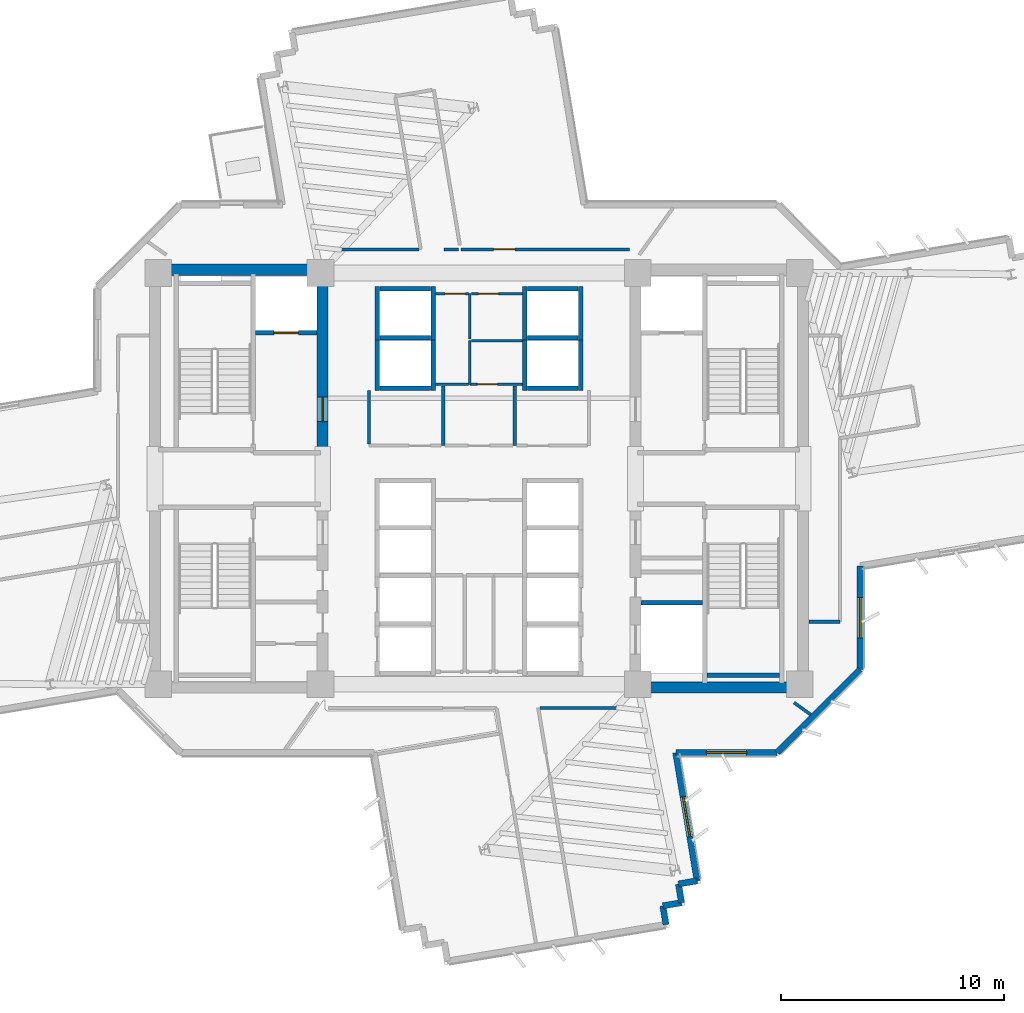
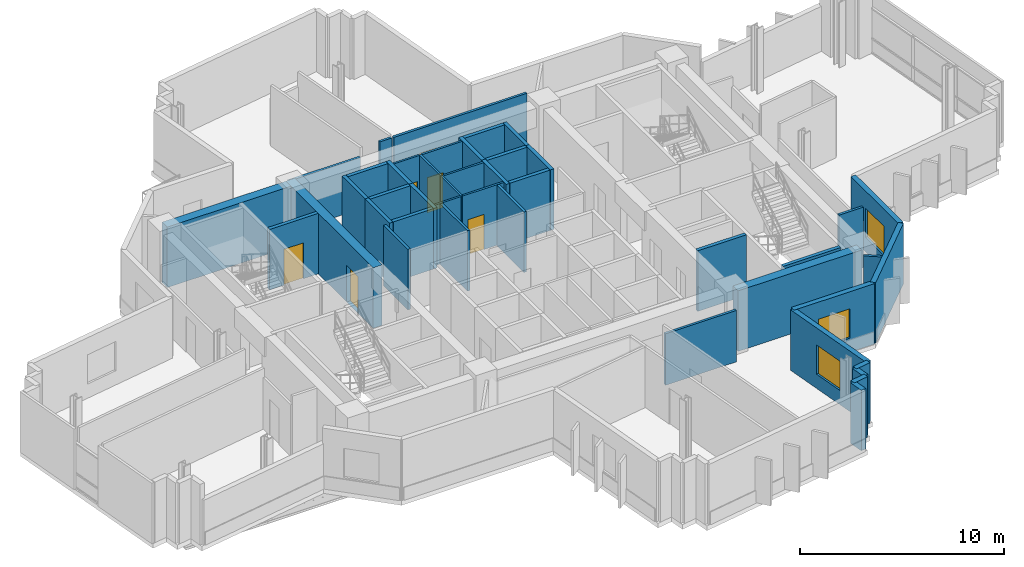
# One storey, part 9 of 15: 44 walls, 6 doors, 3 windows, 9 openings.
"""IFC4 building model written with IfcOpenShell, lengths in metres."""

from ifc_helpers import new_model, si_unit, direction, frame, frame_2d, origin, place, context, subcontext, project, spatial, rectangle, extrude, source, transform, mapped, material, layer, layer_set, type_object, element, fill, save


model = new_model("IFC4")

# Units and contexts
model_context = context("Model", 3, precision=1e-05, world=origin(), true_north=direction((0.0, 1.0)))
body_context = subcontext(model_context, "Body", "Model", "MODEL_VIEW")
ifc_project = project(units=[si_unit("LENGTHUNIT", "METRE"), si_unit("AREAUNIT", "SQUARE_METRE"), si_unit("VOLUMEUNIT", "CUBIC_METRE"), si_unit("PLANEANGLEUNIT", "RADIAN"), si_unit("MASSUNIT", "GRAM", prefix="KILO")], contexts=[model_context])

# Site, building, storey
site_placement = place(None, origin())
site = spatial("IfcSite", under=ifc_project, at=site_placement, CompositionType="ELEMENT")
building_placement = place(site_placement, origin())
building = spatial("IfcBuilding", under=site, at=building_placement, Name="Zahravan Cultural Tower", CompositionType="ELEMENT")
storey_placement = place(building_placement, frame((0.0, 0.0, 135.60009765625)))
storey = spatial("IfcBuildingStorey", under=building, at=storey_placement, Name="L30", CompositionType="ELEMENT", Elevation=135.60009765625)

# Wall, opening, door
ifc_material_1 = material(Name="Concrete C60/75", Category="concrete")
ifc_layer_1 = layer(ifc_material_1, 0.5)
ifc_layer_set_1 = layer_set([ifc_layer_1], Name="Concrete C60/75")
wall_type_1 = type_object("IfcWallType", Name="CW-SHEAR-500-C60", PredefinedType="SHEAR", material=ifc_layer_set_1)
wall_1_placement = place(storey_placement, frame((29.0, 28.050048828125, 0.0), z_axis=(0.0, 0.0, 1.0), x_axis=(0.0, 1.0, 0.0)))
wall_1 = element("IfcWall", 1, at=wall_1_placement, inside=storey, type_object=wall_type_1, Name="L30 Core Shear Wall CW-W-EN-L30", PredefinedType="SHEAR", context=body_context, shape_type="SweptSolid", body=[
    extrude(rectangle(XDim=8.550048828125, YDim=0.5, at=frame_2d((4.27490234375, 0.0))), origin(), (0.0, 0.0, 1.0), 3.619873046875),
])
opening_1_placement = place(wall_1_placement, frame((1.5, 0.0, 0.0)))
opening_1 = element("IfcOpeningElement", 2, at=opening_1_placement, cuts=wall_1, Name="Opening D-L30-05", PredefinedType="OPENING", context=body_context, shape_type="SweptSolid", body=[
    extrude(rectangle(XDim=1.10009765625, YDim=2.199951171875, at=frame_2d((0.550048828125, 1.10009765625))), frame((0.0, 0.260009765625, 0.0), z_axis=(0.0, -1.0, 0.0), x_axis=(1.0, 0.0, 0.0)), (0.0, 0.0, 1.0), 0.52001953125),
])
ifc_material_2 = material(Name="Steel ASTM A572 Grade 50", Category="steel")
door_type_1 = type_object("IfcDoorType", Name="DR-LOBBY-1100", OperationType="NOTDEFINED", PredefinedType="DOOR", material=ifc_material_2)
shared_shape_1 = source(origin(), body_context, "Body", "SweptSolid", [
    extrude(rectangle(XDim=1.10009765625, YDim=2.199951171875, at=frame_2d((0.550048828125, 1.10009765625))), frame((0.0, 0.02490234375, 0.0), z_axis=(0.0, -1.0, 0.0), x_axis=(1.0, 0.0, 0.0)), (0.0, 0.0, 1.0), 0.050048828125),
])
door_1_placement = place(opening_1_placement, origin())
door_1 = element("IfcDoor", 3, at=door_1_placement, inside=storey, type_object=door_type_1, Name="L30 Door D-L30-05", OperationType="SINGLE_SWING_RIGHT", OverallHeight=2.199951171875, OverallWidth=1.10009765625, PredefinedType="DOOR", context=body_context, shape_type="MappedRepresentation", body=[
    mapped(shared_shape_1, transform((0.0, 0.0, 0.0), x_axis=(1.0, 0.0, 0.0), y_axis=(0.0, 1.0, 0.0), z_axis=(0.0, 0.0, 1.0), scale=1.0)),
])
fill(opening_1, door_1)

# Wall, opening, window
ifc_material_3 = material(Name="Precast concrete C40/50", Category="concrete")
ifc_layer_2 = layer(ifc_material_3, 0.280029296875)
ifc_layer_set_2 = layer_set([ifc_layer_2], Name="Precast concrete C40/50")
wall_type_2 = type_object("IfcWallType", Name="EW-TC-280", PredefinedType="SOLIDWALL", material=ifc_layer_set_2)
wall_2_placement = place(storey_placement, frame((53.06005859375, 23.102294921875, 0.0), z_axis=(0.0, 0.0, 1.0), x_axis=(0.0, -1.0, 0.0)))
wall_2 = element("IfcWall", 4, at=wall_2_placement, inside=storey, type_object=wall_type_2, Name="L30 Exterior Masonry Frame Wall 11", PredefinedType="SOLIDWALL", context=body_context, shape_type="SweptSolid", body=[
    extrude(rectangle(XDim=4.644287109375, YDim=0.280029296875, at=frame_2d((2.322265625, 0.0))), origin(), (0.0, 0.0, 1.0), 3.619873046875),
])
opening_2_placement = place(wall_2_placement, frame((1.422119140625, 0.0, 0.85009765625)))
opening_2 = element("IfcOpeningElement", 5, at=opening_2_placement, cuts=wall_2, Name="Opening WN-02", PredefinedType="OPENING", context=body_context, shape_type="SweptSolid", body=[
    extrude(rectangle(XDim=1.800048828125, YDim=1.75, at=frame_2d((0.89990234375, 0.875))), frame((0.0, 0.14990234375, 0.0), z_axis=(0.0, -1.0, 0.0), x_axis=(1.0, 0.0, 0.0)), (0.0, 0.0, 1.0), 0.300048828125),
])
ifc_material_4 = material(Name="Low-E solar-control double glazing", Category="glass")
window_type = type_object("IfcWindowType", Name="WN-REC-1800X1750", PartitioningType="DOUBLE_PANEL_VERTICAL", PredefinedType="WINDOW", material=ifc_material_4)
shared_shape_2 = source(origin(), body_context, "Body", "SweptSolid", [
    extrude(rectangle(XDim=1.800048828125, YDim=1.75, at=frame_2d((0.89990234375, 0.875))), frame((0.0, 0.030029296875, 0.0), z_axis=(0.0, -1.0, 0.0), x_axis=(1.0, 0.0, 0.0)), (0.0, 0.0, 1.0), 0.06005859375),
])
window_1_placement = place(opening_2_placement, origin())
window_1 = element("IfcWindow", 6, at=window_1_placement, inside=storey, type_object=window_type, Name="L30 Recessed Solar Window 02", OverallHeight=1.75, OverallWidth=1.800048828125, PartitioningType="DOUBLE_PANEL_VERTICAL", PredefinedType="WINDOW", context=body_context, shape_type="MappedRepresentation", body=[
    mapped(shared_shape_2, transform((0.0, 0.0, 0.0), x_axis=(1.0, 0.0, 0.0), y_axis=(0.0, 1.0, 0.0), z_axis=(0.0, 0.0, 1.0), scale=1.0)),
])
fill(opening_2, window_1)

wall_3_placement = place(storey_placement, frame((49.342041015625, 14.739990234375, 0.0), z_axis=(0.0, 0.0, 1.0), x_axis=(-1.0, 0.0, 0.0)))
wall_3 = element("IfcWall", 7, at=wall_3_placement, inside=storey, type_object=wall_type_2, Name="L30 Exterior Masonry Frame Wall 13", PredefinedType="SOLIDWALL", context=body_context, shape_type="SweptSolid", body=[
    extrude(rectangle(XDim=4.537841796875, YDim=0.280029296875, at=frame_2d((2.26904296875, 0.0))), origin(), (0.0, 0.0, 1.0), 3.619873046875),
])
opening_3_placement = place(wall_3_placement, frame((1.368896484375, 0.0, 0.85009765625)))
opening_3 = element("IfcOpeningElement", 8, at=opening_3_placement, cuts=wall_3, Name="Opening WN-02", PredefinedType="OPENING", context=body_context, shape_type="SweptSolid", body=[
    extrude(rectangle(XDim=1.800048828125, YDim=1.75, at=frame_2d((0.89990234375, 0.875))), frame((0.0, 0.14990234375, 0.0), z_axis=(0.0, -1.0, 0.0), x_axis=(1.0, 0.0, 0.0)), (0.0, 0.0, 1.0), 0.300048828125),
])
window_2_placement = place(opening_3_placement, origin())
window_2 = element("IfcWindow", 9, at=window_2_placement, inside=storey, type_object=window_type, Name="L30 Recessed Solar Window 03", OverallHeight=1.75, OverallWidth=1.800048828125, PartitioningType="DOUBLE_PANEL_VERTICAL", PredefinedType="WINDOW", context=body_context, shape_type="MappedRepresentation", body=[
    mapped(shared_shape_2, transform((0.0, 0.0, 0.0), x_axis=(1.0, 0.0, 0.0), y_axis=(0.0, 1.0, 0.0), z_axis=(0.0, 0.0, 1.0), scale=1.0)),
])
fill(opening_3, window_2)

wall_4_placement = place(storey_placement, frame((44.80419921875, 14.739990234375, 0.0), z_axis=(0.0, 0.0, 1.0), x_axis=(0.165045758581, -0.986285910664, 0.0)))
wall_4 = element("IfcWall", 10, at=wall_4_placement, inside=storey, type_object=wall_type_2, Name="L30 Exterior Masonry Frame Wall 14", PredefinedType="SOLIDWALL", context=body_context, shape_type="SweptSolid", body=[
    extrude(rectangle(XDim=5.81494140625, YDim=0.280029296875, at=frame_2d((2.907470703125, 0.0))), origin(), (0.0, 0.0, 1.0), 3.619873046875),
])
opening_4_placement = place(wall_4_placement, frame((2.007080078125, 0.0, 0.85009765625)))
opening_4 = element("IfcOpeningElement", 11, at=opening_4_placement, cuts=wall_4, Name="Opening WN-02", PredefinedType="OPENING", context=body_context, shape_type="SweptSolid", body=[
    extrude(rectangle(XDim=1.800048828125, YDim=1.75, at=frame_2d((0.89990234375, 0.875))), frame((0.0, 0.14990234375, 0.0), z_axis=(0.0, -1.0, 0.0), x_axis=(1.0, 0.0, 0.0)), (0.0, 0.0, 1.0), 0.300048828125),
])
window_3_placement = place(opening_4_placement, origin())
window_3 = element("IfcWindow", 12, at=window_3_placement, inside=storey, type_object=window_type, Name="L30 Recessed Solar Window 04", OverallHeight=1.75, OverallWidth=1.800048828125, PartitioningType="DOUBLE_PANEL_VERTICAL", PredefinedType="WINDOW", context=body_context, shape_type="MappedRepresentation", body=[
    mapped(shared_shape_2, transform((0.0, 0.0, 0.0), x_axis=(1.0, 0.0, 0.0), y_axis=(0.0, 1.0, 0.0), z_axis=(0.0, 0.0, 1.0), scale=1.0)),
])
fill(opening_4, window_3)

# Wall, opening, door
ifc_material_5 = material(Name="Gypsum plasterboard partition")
ifc_layer_3 = layer(ifc_material_5, 0.139892578125)
ifc_layer_set_3 = layer_set([ifc_layer_3], Name="Gypsum plasterboard partition")
wall_type_3 = type_object("IfcWallType", Name="W-PART-140", PredefinedType="PARTITIONING", material=ifc_layer_set_3)
wall_5_placement = place(storey_placement, frame((42.742431640625, 37.259765625, 0.0), z_axis=(0.0, 0.0, 1.0), x_axis=(-0.999999999476, 3.2371888e-05, 0.0)))
wall_5 = element("IfcWall", 13, at=wall_5_placement, inside=storey, type_object=wall_type_3, Name="L30 Interior Wall 109", PredefinedType="PARTITIONING", context=body_context, shape_type="SweptSolid", body=[
    extrude(rectangle(XDim=7.541748046875, YDim=0.139892578125, at=frame_2d((3.77099609375, 0.0))), origin(), (0.0, 0.0, 1.0), 3.619873046875),
])
opening_5_placement = place(wall_5_placement, frame((5.1416015625, 0.0, 0.0)))
opening_5 = element("IfcOpeningElement", 14, at=opening_5_placement, cuts=wall_5, Name="Opening D-L30-23", PredefinedType="OPENING", context=body_context, shape_type="SweptSolid", body=[
    extrude(rectangle(XDim=0.949951171875, YDim=2.14990234375, at=frame_2d((0.47509765625, 1.074951171875))), frame((0.0, 0.079833984375, 0.0), z_axis=(0.0, -1.0, 0.0), x_axis=(1.0, 0.0, 0.0)), (0.0, 0.0, 1.0), 0.159912109375),
])
ifc_material_6 = material(Name="Anodised bronze-aluminium mullion", Category="aluminium")
door_type_2 = type_object("IfcDoorType", Name="DR-ROOM-950", OperationType="NOTDEFINED", PredefinedType="DOOR", material=ifc_material_6)
shared_shape_3 = source(origin(), body_context, "Body", "SweptSolid", [
    extrude(rectangle(XDim=0.949951171875, YDim=2.14990234375, at=frame_2d((0.47509765625, 1.074951171875))), frame((0.0, 0.02490234375, 0.0), z_axis=(0.0, -1.0, 0.0), x_axis=(1.0, 0.0, 0.0)), (0.0, 0.0, 1.0), 0.050048828125),
])
door_2_placement = place(opening_5_placement, origin())
door_2 = element("IfcDoor", 15, at=door_2_placement, inside=storey, type_object=door_type_2, Name="L30 Door D-L30-23", OperationType="SINGLE_SWING_RIGHT", OverallHeight=2.14990234375, OverallWidth=0.949951171875, PredefinedType="DOOR", context=body_context, shape_type="MappedRepresentation", body=[
    mapped(shared_shape_3, transform((0.0, 0.0, 0.0), x_axis=(1.0, 0.0, 0.0), y_axis=(0.0, 1.0, 0.0), z_axis=(0.0, 0.0, 1.0), scale=1.0)),
])
fill(opening_5, door_2)

ifc_material_7 = material(Name="Concrete C45/55", Category="concrete")
ifc_layer_4 = layer(ifc_material_7, 0.199951171875)
ifc_layer_set_4 = layer_set([ifc_layer_4], Name="Concrete C45/55")
wall_type_4 = type_object("IfcWallType", Name="W-SHAFT-200", PredefinedType="SOLIDWALL", material=ifc_layer_set_4)
wall_6_placement = place(storey_placement, frame((26.0, 33.52001953125, 0.0), z_axis=(0.0, 0.0, 1.0), x_axis=(1.0, 0.0, 0.0)))
wall_6 = element("IfcWall", 16, at=wall_6_placement, inside=storey, type_object=wall_type_4, Name="L30 Interior Wall 021", PredefinedType="SOLIDWALL", context=body_context, shape_type="SweptSolid", body=[
    extrude(rectangle(XDim=2.75, YDim=0.199951171875, at=frame_2d((1.375, 0.0))), origin(), (0.0, 0.0, 1.0), 3.619873046875),
])
opening_6_placement = place(wall_6_placement, frame((0.820068359375, 0.0, 0.0)))
opening_6 = element("IfcOpeningElement", 17, at=opening_6_placement, cuts=wall_6, Name="Opening LD-L30-01", PredefinedType="OPENING", context=body_context, shape_type="SweptSolid", body=[
    extrude(rectangle(XDim=1.10009765625, YDim=2.14990234375, at=frame_2d((0.550048828125, 1.074951171875))), frame((0.0, 0.10986328125, 0.0), z_axis=(0.0, -1.0, 0.0), x_axis=(1.0, 0.0, 0.0)), (0.0, 0.0, 1.0), 0.219970703125),
])
door_type_3 = type_object("IfcDoorType", Name="DR-LIFT-1100", OperationType="DOUBLE_DOOR_SLIDING", PredefinedType="DOOR", material=ifc_material_2)
shared_shape_4 = source(origin(), body_context, "Body", "SweptSolid", [
    extrude(rectangle(XDim=1.10009765625, YDim=2.14990234375, at=frame_2d((0.550048828125, 1.074951171875))), frame((0.0, 0.02490234375, 0.0), z_axis=(0.0, -1.0, 0.0), x_axis=(1.0, 0.0, 0.0)), (0.0, 0.0, 1.0), 0.050048828125),
])
door_3_placement = place(opening_6_placement, origin())
door_3 = element("IfcDoor", 18, at=door_3_placement, inside=storey, type_object=door_type_3, Name="L30 Door LD-L30-01", OperationType="DOUBLE_DOOR_SLIDING", OverallHeight=2.14990234375, OverallWidth=1.10009765625, PredefinedType="DOOR", context=body_context, shape_type="MappedRepresentation", body=[
    mapped(shared_shape_4, transform((0.0, 0.0, 0.0), x_axis=(1.0, 0.0, 0.0), y_axis=(0.0, 1.0, 0.0), z_axis=(0.0, 0.0, 1.0), scale=1.0)),
])
fill(opening_6, door_3)

ifc_layer_5 = layer(ifc_material_5, 0.114990234375)
ifc_layer_set_5 = layer_set([ifc_layer_5], Name="Gypsum plasterboard partition")
wall_type_5 = type_object("IfcWallType", Name="W-WC-115", PredefinedType="PARTITIONING", material=ifc_layer_set_5)
wall_7_placement = place(storey_placement, frame((37.945068359375, 31.219970703125, 0.0), z_axis=(0.0, 0.0, 1.0), x_axis=(-1.0, 0.0, 0.0)))
wall_7 = element("IfcWall", 19, at=wall_7_placement, inside=storey, type_object=wall_type_5, Name="L30 Interior Wall 069", PredefinedType="PARTITIONING", context=body_context, shape_type="SweptSolid", body=[
    extrude(rectangle(XDim=2.35498046875, YDim=0.114990234375, at=frame_2d((1.177490234375, 0.0))), origin(), (0.0, 0.0, 1.0), 3.619873046875),
])
opening_7_placement = place(wall_7_placement, frame((1.120849609375, 0.0, 0.0)))
opening_7 = element("IfcOpeningElement", 20, at=opening_7_placement, cuts=wall_7, Name="Opening D-L30-29", PredefinedType="OPENING", context=body_context, shape_type="SweptSolid", body=[
    extrude(rectangle(XDim=0.89990234375, YDim=2.10009765625, at=frame_2d((0.449951171875, 1.050048828125))), frame((0.0, 0.0673828125, 0.0), z_axis=(0.0, -1.0, 0.0), x_axis=(1.0, 0.0, 0.0)), (0.0, 0.0, 1.0), 0.135009765625),
])
door_type_4 = type_object("IfcDoorType", Name="DR-WC-900", OperationType="NOTDEFINED", PredefinedType="DOOR", material=ifc_material_6)
shared_shape_5 = source(origin(), body_context, "Body", "SweptSolid", [
    extrude(rectangle(XDim=0.89990234375, YDim=2.10009765625, at=frame_2d((0.449951171875, 1.050048828125))), frame((0.0, 0.02490234375, 0.0), z_axis=(0.0, -1.0, 0.0), x_axis=(1.0, 0.0, 0.0)), (0.0, 0.0, 1.0), 0.050048828125),
])
door_4_placement = place(opening_7_placement, origin())
door_4 = element("IfcDoor", 21, at=door_4_placement, inside=storey, type_object=door_type_4, Name="L30 Door D-L30-29", OperationType="SINGLE_SWING_RIGHT", OverallHeight=2.10009765625, OverallWidth=0.89990234375, PredefinedType="DOOR", context=body_context, shape_type="MappedRepresentation", body=[
    mapped(shared_shape_5, transform((0.0, 0.0, 0.0), x_axis=(1.0, 0.0, 0.0), y_axis=(0.0, 1.0, 0.0), z_axis=(0.0, 0.0, 1.0), scale=1.0)),
])
fill(opening_7, door_4)

wall_8_placement = place(storey_placement, frame((35.652587890625, 35.280029296875, 0.0), z_axis=(0.0, 0.0, 1.0), x_axis=(1.0, 0.0, 0.0)))
wall_8 = element("IfcWall", 22, at=wall_8_placement, inside=storey, type_object=wall_type_5, Name="L30 Interior Wall 073", PredefinedType="PARTITIONING", context=body_context, shape_type="SweptSolid", body=[
    extrude(rectangle(XDim=2.29248046875, YDim=0.114990234375, at=frame_2d((1.146240234375, 0.0))), origin(), (0.0, 0.0, 1.0), 3.619873046875),
])
opening_8_placement = place(wall_8_placement, frame((0.3203125, 0.0, 0.0)))
opening_8 = element("IfcOpeningElement", 23, at=opening_8_placement, cuts=wall_8, Name="Opening D-L30-14", PredefinedType="OPENING", context=body_context, shape_type="SweptSolid", body=[
    extrude(rectangle(XDim=0.89990234375, YDim=2.10009765625, at=frame_2d((0.449951171875, 1.050048828125))), frame((0.0, 0.0673828125, 0.0), z_axis=(0.0, -1.0, 0.0), x_axis=(1.0, 0.0, 0.0)), (0.0, 0.0, 1.0), 0.135009765625),
])
door_5_placement = place(opening_8_placement, origin())
door_5 = element("IfcDoor", 24, at=door_5_placement, inside=storey, type_object=door_type_4, Name="L30 Door D-L30-14", OperationType="SINGLE_SWING_LEFT", OverallHeight=2.10009765625, OverallWidth=0.89990234375, PredefinedType="DOOR", context=body_context, shape_type="MappedRepresentation", body=[
    mapped(shared_shape_5, transform((0.0, 0.0, 0.0), x_axis=(1.0, 0.0, 0.0), y_axis=(0.0, 1.0, 0.0), z_axis=(0.0, 0.0, 1.0), scale=1.0)),
])
fill(opening_8, door_5)

wall_9_placement = place(storey_placement, frame((34.054931640625, 35.280029296875, 0.0), z_axis=(0.0, 0.0, 1.0), x_axis=(1.0, 0.0, 0.0)))
wall_9 = element("IfcWall", 25, at=wall_9_placement, inside=storey, type_object=wall_type_5, Name="L30 Interior Wall 083", PredefinedType="PARTITIONING", context=body_context, shape_type="SweptSolid", body=[
    extrude(rectangle(XDim=1.47265625, YDim=0.114990234375, at=frame_2d((0.736328125, 0.0))), origin(), (0.0, 0.0, 1.0), 3.619873046875),
])
opening_9_placement = place(wall_9_placement, frame((0.4326171875, 0.0, 0.0)))
opening_9 = element("IfcOpeningElement", 26, at=opening_9_placement, cuts=wall_9, Name="Opening D-L30-13", PredefinedType="OPENING", context=body_context, shape_type="SweptSolid", body=[
    extrude(rectangle(XDim=0.89990234375, YDim=2.10009765625, at=frame_2d((0.449951171875, 1.050048828125))), frame((0.0, 0.0673828125, 0.0), z_axis=(0.0, -1.0, 0.0), x_axis=(1.0, 0.0, 0.0)), (0.0, 0.0, 1.0), 0.135009765625),
])
door_6_placement = place(opening_9_placement, origin())
door_6 = element("IfcDoor", 27, at=door_6_placement, inside=storey, type_object=door_type_4, Name="L30 Door D-L30-13", OperationType="SINGLE_SWING_RIGHT", OverallHeight=2.10009765625, OverallWidth=0.89990234375, PredefinedType="DOOR", context=body_context, shape_type="MappedRepresentation", body=[
    mapped(shared_shape_5, transform((0.0, 0.0, 0.0), x_axis=(1.0, 0.0, 0.0), y_axis=(0.0, 1.0, 0.0), z_axis=(0.0, 0.0, 1.0), scale=1.0)),
])
fill(opening_9, door_6)

# Walls
shared_shape_6 = source(origin(), body_context, "Body", "SweptSolid", [
    extrude(rectangle(XDim=7.0, YDim=0.5, at=frame_2d((3.5, 0.0))), origin(), (0.0, 0.0, 1.0), 3.619873046875),
])
for number, where, z_axis, x_axis, name in (
    (28, (21.75, 36.35009765625, 0.0), (0.0, 0.0, 1.0), (1.0, 0.0, 0.0), "L30 Core Shear Wall CW-W-N-L30"),
    (29, (43.25, 17.64990234375, 0.0), (0.0, 0.0, 1.0), (1.0, 0.0, 0.0), "L30 Core Shear Wall CW-E-S-L30"),
):
    element("IfcWall", number, at=place(storey_placement, frame(where, z_axis=z_axis, x_axis=x_axis)), inside=storey, type_object=wall_type_1, Name=name, PredefinedType="SHEAR", context=body_context, shape_type="MappedRepresentation", body=[
        mapped(shared_shape_6, transform((0.0, 0.0, 0.0), x_axis=(1.0, 0.0, 0.0), y_axis=(0.0, 1.0, 0.0), z_axis=(0.0, 0.0, 1.0), scale=1.0)),
    ])
shared_shape_7 = source(origin(), body_context, "Body", "SweptSolid", [
    extrude(rectangle(XDim=0.85009765625, YDim=0.280029296875, at=frame_2d((0.425048828125, 0.0))), origin(), (0.0, 0.0, 1.0), 3.619873046875),
])
for number, where, z_axis, x_axis, name in (
    (30, (45.763916015625, 9.0048828125, 0.0), (0.0, 0.0, 1.0), (-0.986269444653, -0.16514412658, 0.0), "L30 Exterior Masonry Frame Wall 15"),
    (31, (44.925537109375, 8.864501953125, 0.0), (0.0, 0.0, 1.0), (0.16514412658, -0.986269444653, 0.0), "L30 Exterior Masonry Frame Wall 16"),
    (32, (45.06591796875, 8.026123046875, 0.0), (0.0, 0.0, 1.0), (-0.986269444653, -0.16514412658, 0.0), "L30 Exterior Masonry Frame Wall 17"),
):
    element("IfcWall", number, at=place(storey_placement, frame(where, z_axis=z_axis, x_axis=x_axis)), inside=storey, type_object=wall_type_2, Name=name, PredefinedType="SOLIDWALL", context=body_context, shape_type="MappedRepresentation", body=[
        mapped(shared_shape_7, transform((0.0, 0.0, 0.0), x_axis=(1.0, 0.0, 0.0), y_axis=(0.0, 1.0, 0.0), z_axis=(0.0, 0.0, 1.0), scale=1.0)),
    ])
shared_shape_8 = source(origin(), body_context, "Body", "SweptSolid", [
    extrude(rectangle(XDim=5.258056640625, YDim=0.280029296875, at=frame_2d((2.62890625, 0.0))), origin(), (0.0, 0.0, 1.0), 3.619873046875),
])
wall_10_placement = place(storey_placement, frame((53.06005859375, 18.4580078125, 0.0), z_axis=(0.0, 0.0, 1.0), x_axis=(-0.707106781187, -0.707106781187, 0.0)))
element("IfcWall", 33, at=wall_10_placement, inside=storey, type_object=wall_type_2, Name="L30 Exterior Masonry Frame Wall 12", PredefinedType="SOLIDWALL", context=body_context, shape_type="MappedRepresentation", body=[
    mapped(shared_shape_8, transform((0.0, 0.0, 0.0), x_axis=(1.0, 0.0, 0.0), y_axis=(0.0, 1.0, 0.0), z_axis=(0.0, 0.0, 1.0), scale=1.0)),
])
shared_shape_9 = source(origin(), body_context, "Body", "SweptSolid", [
    extrude(rectangle(XDim=0.849853515625, YDim=0.280029296875, at=frame_2d((0.4248046875, 0.0))), origin(), (0.0, 0.0, 1.0), 3.619873046875),
])
wall_11_placement = place(storey_placement, frame((44.2275390625, 7.8857421875, 0.0), z_axis=(0.0, 0.0, 1.0), x_axis=(0.165190918979, -0.986261608442, 0.0)))
element("IfcWall", 34, at=wall_11_placement, inside=storey, type_object=wall_type_2, Name="L30 Exterior Masonry Frame Wall 18", PredefinedType="SOLIDWALL", context=body_context, shape_type="MappedRepresentation", body=[
    mapped(shared_shape_9, transform((0.0, 0.0, 0.0), x_axis=(1.0, 0.0, 0.0), y_axis=(0.0, 1.0, 0.0), z_axis=(0.0, 0.0, 1.0), scale=1.0)),
])
shared_shape_10 = source(origin(), body_context, "Body", "SweptSolid", [
    extrude(rectangle(XDim=3.25, YDim=0.199951171875, at=frame_2d((1.625, 0.0))), origin(), (0.0, 0.0, 1.0), 3.619873046875),
])
wall_12_placement = place(storey_placement, frame((46.199951171875, 18.199951171875, 0.0), z_axis=(0.0, 0.0, 1.0), x_axis=(1.0, 0.0, 0.0)))
element("IfcWall", 35, at=wall_12_placement, inside=storey, type_object=wall_type_4, Name="L30 Interior Wall 020", PredefinedType="SOLIDWALL", context=body_context, shape_type="MappedRepresentation", body=[
    mapped(shared_shape_10, transform((0.0, 0.0, 0.0), x_axis=(1.0, 0.0, 0.0), y_axis=(0.0, 1.0, 0.0), z_axis=(0.0, 0.0, 1.0), scale=1.0)),
])
shared_shape_11 = source(origin(), body_context, "Body", "SweptSolid", [
    extrude(rectangle(XDim=2.75, YDim=0.199951171875, at=frame_2d((1.375, 0.0))), origin(), (0.0, 0.0, 1.0), 3.619873046875),
])
wall_13_placement = place(storey_placement, frame((43.25, 21.449951171875, 0.0), z_axis=(0.0, 0.0, 1.0), x_axis=(1.0, 0.0, 0.0)))
element("IfcWall", 36, at=wall_13_placement, inside=storey, type_object=wall_type_4, Name="L30 Interior Wall 025", PredefinedType="SOLIDWALL", context=body_context, shape_type="MappedRepresentation", body=[
    mapped(shared_shape_11, transform((0.0, 0.0, 0.0), x_axis=(1.0, 0.0, 0.0), y_axis=(0.0, 1.0, 0.0), z_axis=(0.0, 0.0, 1.0), scale=1.0)),
])
shared_shape_12 = source(origin(), body_context, "Body", "SweptSolid", [
    extrude(rectangle(XDim=2.400146484375, YDim=0.199951171875, at=frame_2d((1.2001953125, 0.0))), origin(), (0.0, 0.0, 1.0), 3.619873046875),
])
for number, where, z_axis, x_axis, name in (
    (37, (31.449951171875, 33.199951171875, 0.0), (0.0, 0.0, 1.0), (0.0, 1.0, 0.0), "L30 Interior Wall 029"),
    (38, (33.949951171875, 33.199951171875, 0.0), (0.0, 0.0, 1.0), (0.0, 1.0, 0.0), "L30 Interior Wall 030"),
    (39, (31.449951171875, 30.949951171875, 0.0), (0.0, 0.0, 1.0), (0.0, 1.0, 0.0), "L30 Interior Wall 033"),
    (40, (33.949951171875, 30.949951171875, 0.0), (0.0, 0.0, 1.0), (0.0, 1.0, 0.0), "L30 Interior Wall 034"),
    (41, (38.050048828125, 33.199951171875, 0.0), (0.0, 0.0, 1.0), (0.0, 1.0, 0.0), "L30 Interior Wall 036"),
    (42, (40.550048828125, 33.199951171875, 0.0), (0.0, 0.0, 1.0), (0.0, 1.0, 0.0), "L30 Interior Wall 037"),
    (43, (38.050048828125, 30.949951171875, 0.0), (0.0, 0.0, 1.0), (0.0, 1.0, 0.0), "L30 Interior Wall 040"),
    (44, (40.550048828125, 30.949951171875, 0.0), (0.0, 0.0, 1.0), (0.0, 1.0, 0.0), "L30 Interior Wall 041"),
):
    element("IfcWall", number, at=place(storey_placement, frame(where, z_axis=z_axis, x_axis=x_axis)), inside=storey, type_object=wall_type_4, Name=name, PredefinedType="SOLIDWALL", context=body_context, shape_type="MappedRepresentation", body=[
        mapped(shared_shape_12, transform((0.0, 0.0, 0.0), x_axis=(1.0, 0.0, 0.0), y_axis=(0.0, 1.0, 0.0), z_axis=(0.0, 0.0, 1.0), scale=1.0)),
    ])
shared_shape_13 = source(origin(), body_context, "Body", "SweptSolid", [
    extrude(rectangle(XDim=2.260009765625, YDim=0.199951171875, at=frame_2d((1.1298828125, 0.0))), origin(), (0.0, 0.0, 1.0), 3.619873046875),
])
for number, where, z_axis, x_axis, name in (
    (45, (31.570068359375, 33.300048828125, 0.0), (0.0, 0.0, 1.0), (1.0, 0.0, 0.0), "L30 Interior Wall 031"),
    (46, (31.570068359375, 35.5, 0.0), (0.0, 0.0, 1.0), (1.0, 0.0, 0.0), "L30 Interior Wall 032"),
    (47, (31.570068359375, 31.050048828125, 0.0), (0.0, 0.0, 1.0), (1.0, 0.0, 0.0), "L30 Interior Wall 035"),
    (48, (38.169921875, 33.300048828125, 0.0), (0.0, 0.0, 1.0), (1.0, 0.0, 0.0), "L30 Interior Wall 038"),
    (49, (38.169921875, 35.5, 0.0), (0.0, 0.0, 1.0), (1.0, 0.0, 0.0), "L30 Interior Wall 039"),
    (50, (38.169921875, 31.050048828125, 0.0), (0.0, 0.0, 1.0), (1.0, 0.0, 0.0), "L30 Interior Wall 042"),
):
    element("IfcWall", number, at=place(storey_placement, frame(where, z_axis=z_axis, x_axis=x_axis)), inside=storey, type_object=wall_type_4, Name=name, PredefinedType="SOLIDWALL", context=body_context, shape_type="MappedRepresentation", body=[
        mapped(shared_shape_13, transform((0.0, 0.0, 0.0), x_axis=(1.0, 0.0, 0.0), y_axis=(0.0, 1.0, 0.0), z_axis=(0.0, 0.0, 1.0), scale=1.0)),
    ])
shared_shape_14 = source(origin(), body_context, "Body", "SweptSolid", [
    extrude(rectangle(XDim=1.9599609375, YDim=0.114990234375, at=frame_2d((0.97998046875, 0.0))), origin(), (0.0, 0.0, 1.0), 3.619873046875),
])
wall_14_placement = place(storey_placement, frame((35.590087890625, 31.219970703125, 0.0), z_axis=(0.0, 0.0, 1.0), x_axis=(0.0, 1.0, 0.0)))
element("IfcWall", 51, at=wall_14_placement, inside=storey, type_object=wall_type_5, Name="L30 Interior Wall 070", PredefinedType="PARTITIONING", context=body_context, shape_type="MappedRepresentation", body=[
    mapped(shared_shape_14, transform((0.0, 0.0, 0.0), x_axis=(1.0, 0.0, 0.0), y_axis=(0.0, 1.0, 0.0), z_axis=(0.0, 0.0, 1.0), scale=1.0)),
])
shared_shape_15 = source(origin(), body_context, "Body", "SweptSolid", [
    extrude(rectangle(XDim=2.29248046875, YDim=0.114990234375, at=frame_2d((1.146240234375, 0.0))), origin(), (0.0, 0.0, 1.0), 3.619873046875),
])
wall_15_placement = place(storey_placement, frame((35.652587890625, 33.179931640625, 0.0), z_axis=(0.0, 0.0, 1.0), x_axis=(1.0, 0.0, 0.0)))
element("IfcWall", 52, at=wall_15_placement, inside=storey, type_object=wall_type_5, Name="L30 Interior Wall 071", PredefinedType="PARTITIONING", context=body_context, shape_type="MappedRepresentation", body=[
    mapped(shared_shape_15, transform((0.0, 0.0, 0.0), x_axis=(1.0, 0.0, 0.0), y_axis=(0.0, 1.0, 0.0), z_axis=(0.0, 0.0, 1.0), scale=1.0)),
])
shared_shape_16 = source(origin(), body_context, "Body", "SweptSolid", [
    extrude(rectangle(XDim=2.0400390625, YDim=0.114990234375, at=frame_2d((1.02001953125, 0.0))), origin(), (0.0, 0.0, 1.0), 3.619873046875),
])
wall_16_placement = place(storey_placement, frame((35.590087890625, 33.239990234375, 0.0), z_axis=(0.0, 0.0, 1.0), x_axis=(0.0, 1.0, 0.0)))
element("IfcWall", 53, at=wall_16_placement, inside=storey, type_object=wall_type_5, Name="L30 Interior Wall 072", PredefinedType="PARTITIONING", context=body_context, shape_type="MappedRepresentation", body=[
    mapped(shared_shape_16, transform((0.0, 0.0, 0.0), x_axis=(1.0, 0.0, 0.0), y_axis=(0.0, 1.0, 0.0), z_axis=(0.0, 0.0, 1.0), scale=1.0)),
])
shared_shape_17 = source(origin(), body_context, "Body", "SweptSolid", [
    extrude(rectangle(XDim=1.47265625, YDim=0.114990234375, at=frame_2d((0.736328125, 0.0))), origin(), (0.0, 0.0, 1.0), 3.619873046875),
])
wall_17_placement = place(storey_placement, frame((35.527587890625, 31.219970703125, 0.0), z_axis=(0.0, 0.0, 1.0), x_axis=(-1.0, 0.0, 0.0)))
element("IfcWall", 54, at=wall_17_placement, inside=storey, type_object=wall_type_5, Name="L30 Interior Wall 082", PredefinedType="PARTITIONING", context=body_context, shape_type="MappedRepresentation", body=[
    mapped(shared_shape_17, transform((0.0, 0.0, 0.0), x_axis=(1.0, 0.0, 0.0), y_axis=(0.0, 1.0, 0.0), z_axis=(0.0, 0.0, 1.0), scale=1.0)),
])
shared_shape_18 = source(origin(), body_context, "Body", "SweptSolid", [
    extrude(rectangle(XDim=2.659912109375, YDim=0.139892578125, at=frame_2d((1.330078125, 0.0))), origin(), (0.0, 0.0, 1.0), 3.619873046875),
])
for number, where, z_axis, x_axis, name in (
    (55, (34.39990234375, 28.47998046875, 0.0), (0.0, 0.0, 1.0), (0.0, 1.0, 0.0), "L30 Interior Wall 084"),
    (56, (37.60009765625, 31.139892578125, 0.0), (0.0, 0.0, 1.0), (0.0, -1.0, 0.0), "L30 Interior Wall 085"),
):
    element("IfcWall", number, at=place(storey_placement, frame(where, z_axis=z_axis, x_axis=x_axis)), inside=storey, type_object=wall_type_3, Name=name, PredefinedType="PARTITIONING", context=body_context, shape_type="MappedRepresentation", body=[
        mapped(shared_shape_18, transform((0.0, 0.0, 0.0), x_axis=(1.0, 0.0, 0.0), y_axis=(0.0, 1.0, 0.0), z_axis=(0.0, 0.0, 1.0), scale=1.0)),
    ])
shared_shape_19 = source(origin(), body_context, "Body", "SweptSolid", [
    extrude(rectangle(XDim=2.39501953125, YDim=0.139892578125, at=frame_2d((1.197509765625, 0.0))), origin(), (0.0, 0.0, 1.0), 3.619873046875),
])
wall_18_placement = place(storey_placement, frame((31.080078125, 28.554931640625, 0.0), z_axis=(0.0, 0.0, 1.0), x_axis=(0.0, 1.0, 0.0)))
element("IfcWall", 57, at=wall_18_placement, inside=storey, type_object=wall_type_3, Name="L30 Interior Wall 088", PredefinedType="PARTITIONING", context=body_context, shape_type="MappedRepresentation", body=[
    mapped(shared_shape_19, transform((0.0, 0.0, 0.0), x_axis=(1.0, 0.0, 0.0), y_axis=(0.0, 1.0, 0.0), z_axis=(0.0, 0.0, 1.0), scale=1.0)),
])
shared_shape_20 = source(origin(), body_context, "Body", "SweptSolid", [
    extrude(rectangle(XDim=4.016845703125, YDim=0.139892578125, at=frame_2d((2.00830078125, 0.0))), origin(), (0.0, 0.0, 1.0), 3.078857421875),
])
wall_19_placement = place(storey_placement, frame((38.7255859375, 16.739990234375, 0.0), z_axis=(0.0, 0.0, 1.0), x_axis=(0.999999998153, 6.0779189e-05, 0.0)))
element("IfcWall", 58, at=wall_19_placement, inside=storey, type_object=wall_type_3, Name="L30 Interior Wall 103", PredefinedType="PARTITIONING", context=body_context, shape_type="MappedRepresentation", body=[
    mapped(shared_shape_20, transform((0.0, 0.0, 0.0), x_axis=(1.0, 0.0, 0.0), y_axis=(0.0, 1.0, 0.0), z_axis=(0.0, 0.0, 1.0), scale=1.0)),
])
shared_shape_21 = source(origin(), body_context, "Body", "SweptSolid", [
    extrude(rectangle(XDim=0.919189453125, YDim=0.139892578125, at=frame_2d((0.45947265625, 0.0))), origin(), (0.0, 0.0, 1.0), 3.619873046875),
])
wall_20_placement = place(storey_placement, frame((50.093994140625, 16.97998046875, 0.0), z_axis=(0.0, 0.0, 1.0), x_axis=(0.81148395648, -0.584374698611, 0.0)))
element("IfcWall", 59, at=wall_20_placement, inside=storey, type_object=wall_type_3, Name="L30 Interior Wall 104", PredefinedType="PARTITIONING", context=body_context, shape_type="MappedRepresentation", body=[
    mapped(shared_shape_21, transform((0.0, 0.0, 0.0), x_axis=(1.0, 0.0, 0.0), y_axis=(0.0, 1.0, 0.0), z_axis=(0.0, 0.0, 1.0), scale=1.0)),
])
shared_shape_22 = source(origin(), body_context, "Body", "SweptSolid", [
    extrude(rectangle(XDim=0.6640625, YDim=0.139892578125, at=frame_2d((0.33203125, 0.0))), origin(), (0.0, 0.0, 1.0), 3.619873046875),
])
wall_21_placement = place(storey_placement, frame((35.08642578125, 37.260009765625, 0.0), z_axis=(0.0, 0.0, 1.0), x_axis=(-1.0, 0.0, 0.0)))
element("IfcWall", 60, at=wall_21_placement, inside=storey, type_object=wall_type_3, Name="L30 Interior Wall 110", PredefinedType="PARTITIONING", context=body_context, shape_type="MappedRepresentation", body=[
    mapped(shared_shape_22, transform((0.0, 0.0, 0.0), x_axis=(1.0, 0.0, 0.0), y_axis=(0.0, 1.0, 0.0), z_axis=(0.0, 0.0, 1.0), scale=1.0)),
])
shared_shape_23 = source(origin(), body_context, "Body", "SweptSolid", [
    extrude(rectangle(XDim=4.05712890625, YDim=0.139892578125, at=frame_2d((2.028564453125, 0.0))), origin(), (0.0, 0.0, 1.0), 3.078857421875),
])
wall_22_placement = place(storey_placement, frame((33.314697265625, 37.260009765625, 0.0), z_axis=(0.0, 0.0, 1.0), x_axis=(-0.999999998189, -6.0175713e-05, 0.0)))
element("IfcWall", 61, at=wall_22_placement, inside=storey, type_object=wall_type_3, Name="L30 Interior Wall 114", PredefinedType="PARTITIONING", context=body_context, shape_type="MappedRepresentation", body=[
    mapped(shared_shape_23, transform((0.0, 0.0, 0.0), x_axis=(1.0, 0.0, 0.0), y_axis=(0.0, 1.0, 0.0), z_axis=(0.0, 0.0, 1.0), scale=1.0)),
])
shared_shape_24 = source(origin(), body_context, "Body", "SweptSolid", [
    extrude(rectangle(XDim=1.38916015625, YDim=0.139892578125, at=frame_2d((0.694580078125, 0.0))), origin(), (0.0, 0.0, 1.0), 3.619873046875),
])
wall_23_placement = place(storey_placement, frame((50.7548828125, 20.60009765625, 0.0), z_axis=(0.0, 0.0, 1.0), x_axis=(1.0, 0.0, 0.0)))
element("IfcWall", 62, at=wall_23_placement, inside=storey, type_object=wall_type_3, Name="L30 Interior Wall 116", PredefinedType="PARTITIONING", context=body_context, shape_type="MappedRepresentation", body=[
    mapped(shared_shape_24, transform((0.0, 0.0, 0.0), x_axis=(1.0, 0.0, 0.0), y_axis=(0.0, 1.0, 0.0), z_axis=(0.0, 0.0, 1.0), scale=1.0)),
])

save(model, "model.ifc")
